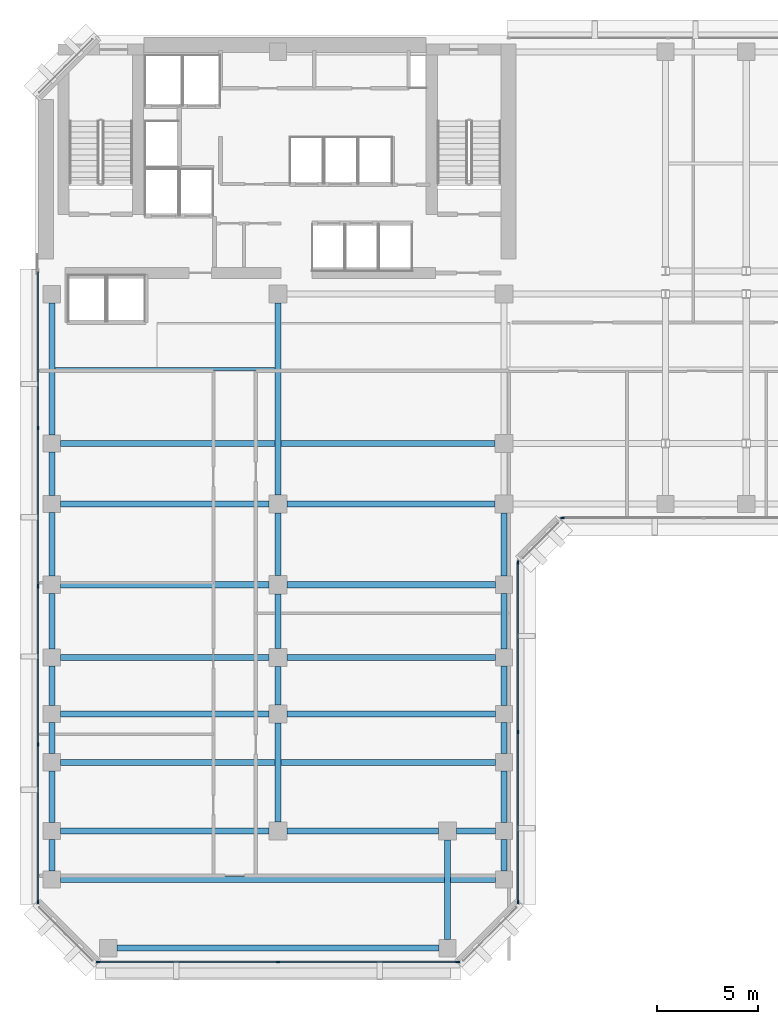
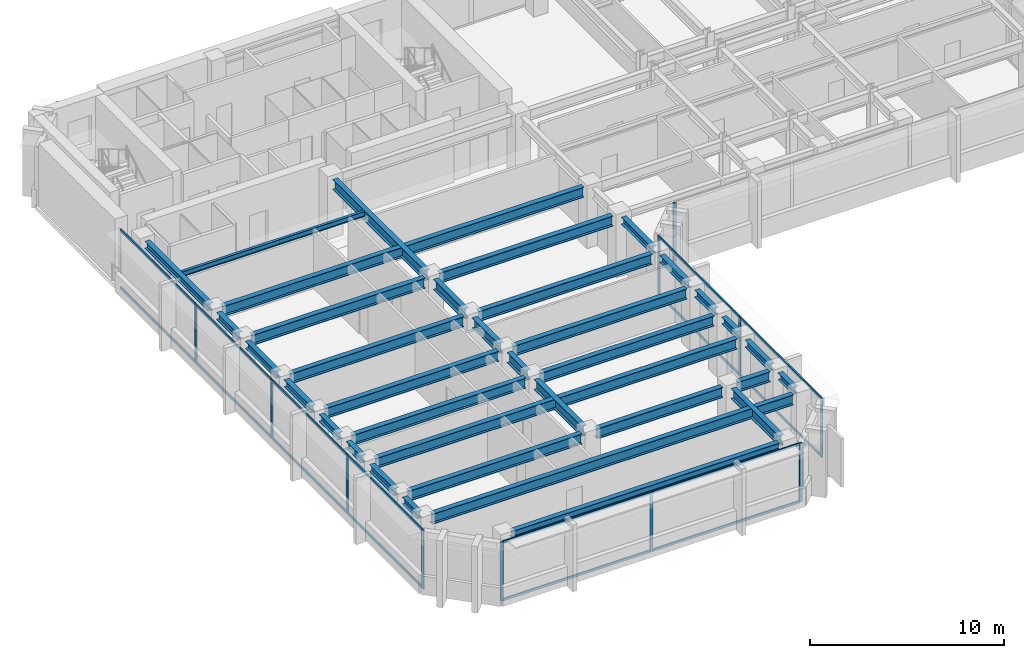
# One storey, part 2 of 11: 36 beams, 27 members, 4 elements without a shape of their own.
"""IFC4 building model written with IfcOpenShell, lengths in metres."""

from ifc_helpers import new_model, si_unit, direction, frame, origin, origin_2d, place, context, subcontext, project, spatial, rectangle, i_section, extrude, material, layer, layer_set, material_profile, profile_set, type_object, element, aggregate, save


model = new_model("IFC4")

# Units and contexts
model_context = context("Model", 3, precision=1e-05, world=origin(), true_north=direction((0.0, 1.0)))
body_context = subcontext(model_context, "Body", "Model", "MODEL_VIEW")
ifc_project = project(units=[si_unit("LENGTHUNIT", "METRE"), si_unit("AREAUNIT", "SQUARE_METRE"), si_unit("VOLUMEUNIT", "CUBIC_METRE"), si_unit("PLANEANGLEUNIT", "RADIAN"), si_unit("MASSUNIT", "GRAM", prefix="KILO")], contexts=[model_context])

# Site, building, storey
site_placement = place(None, origin())
site = spatial("IfcSite", under=ifc_project, at=site_placement, CompositionType="ELEMENT")
building_placement = place(site_placement, origin())
building = spatial("IfcBuilding", under=site, at=building_placement, Name="Kefirva Bronze Tower", CompositionType="ELEMENT")
storey_placement = place(building_placement, frame((0.0, 0.0, 154.77001953125)))
storey = spatial("IfcBuildingStorey", under=building, at=storey_placement, Name="L37", CompositionType="ELEMENT", Elevation=154.77001953125)

# Curtain wall, members
ifc_material_1 = material(Name="Bronze anodised aluminium", Category="aluminium")
ifc_layer = layer(ifc_material_1, 0.199951171875, Name="Bronze anodised aluminium")
ifc_layer_set = layer_set([ifc_layer], Name="Bronze anodised aluminium")
curtain_wall_type = type_object("IfcCurtainWallType", Name="Unitised Bronze Ribbon Curtain Wall Zone 2", PredefinedType="USERDEFINED", material=ifc_layer_set)
curtain_wall_1_placement = place(storey_placement, origin())
curtain_wall_1 = element("IfcCurtainWall", 1, at=curtain_wall_1_placement, inside=storey, type_object=curtain_wall_type, Name="L37 Curtain Wall 1", ObjectType="UNITISED CURTAIN WALL", PredefinedType="USERDEFINED")
ifc_material_profile_1 = material_profile(ifc_material_1, rectangle(XDim=0.074951171875, YDim=0.179931640625, at=origin_2d()), Name="ALU 75x180")
ifc_profile_set_1 = profile_set([ifc_material_profile_1], Name="Bronze anodised aluminium")
member_type_1 = type_object("IfcMemberType", Name="Bronze Mullion 75x180", PredefinedType="MULLION", material=ifc_profile_set_1)
member_1_placement = place(storey_placement, frame((3.092529296875, 0.1201171875, 0.0), z_axis=(0.0, 0.0, 1.0), x_axis=(0.0, 1.0, 0.0)))
member_1 = element("IfcMember", 2, at=member_1_placement, type_object=member_type_1, Name="CW-02 mullion 1", PredefinedType="MULLION", context=body_context, shape_type="SweptSolid", body=[
    extrude(rectangle(XDim=0.074951171875, YDim=0.179931640625, at=origin_2d()), origin(), (0.0, 0.0, 1.0), 3.7099609375),
])
member_2_placement = place(storey_placement, frame((12.0, 0.1201171875, 0.0), z_axis=(0.0, 0.0, 1.0), x_axis=(0.0, 1.0, 0.0)))
member_2 = element("IfcMember", 3, at=member_2_placement, type_object=member_type_1, Name="CW-02 mullion 2", PredefinedType="MULLION", context=body_context, shape_type="SweptSolid", body=[
    extrude(rectangle(XDim=0.074951171875, YDim=0.179931640625, at=origin_2d()), origin(), (0.0, 0.0, 1.0), 3.7099609375),
])
member_3_placement = place(storey_placement, frame((20.907470703125, 0.1201171875, 0.0), z_axis=(0.0, 0.0, 1.0), x_axis=(0.0, 1.0, 0.0)))
member_3 = element("IfcMember", 4, at=member_3_placement, type_object=member_type_1, Name="CW-02 mullion 3", PredefinedType="MULLION", context=body_context, shape_type="SweptSolid", body=[
    extrude(rectangle(XDim=0.074951171875, YDim=0.179931640625, at=origin_2d()), origin(), (0.0, 0.0, 1.0), 3.7099609375),
])

curtain_wall_2_placement = place(storey_placement, origin())
curtain_wall_2 = element("IfcCurtainWall", 5, at=curtain_wall_2_placement, inside=storey, type_object=curtain_wall_type, Name="L37 Curtain Wall 2", ObjectType="UNITISED CURTAIN WALL", PredefinedType="USERDEFINED")
member_4_placement = place(storey_placement, frame((23.8798828125, 3.092529296875, 0.0), z_axis=(0.0, 0.0, 1.0), x_axis=(-1.0, 0.0, 0.0)))
member_4 = element("IfcMember", 6, at=member_4_placement, type_object=member_type_1, Name="CW-02 mullion 1", PredefinedType="MULLION", context=body_context, shape_type="SweptSolid", body=[
    extrude(rectangle(XDim=0.074951171875, YDim=0.179931640625, at=origin_2d()), origin(), (0.0, 0.0, 1.0), 3.7099609375),
])
member_5_placement = place(storey_placement, frame((23.8798828125, 11.5, 0.0), z_axis=(0.0, 0.0, 1.0), x_axis=(-1.0, 0.0, 0.0)))
member_5 = element("IfcMember", 7, at=member_5_placement, type_object=member_type_1, Name="CW-02 mullion 2", PredefinedType="MULLION", context=body_context, shape_type="SweptSolid", body=[
    extrude(rectangle(XDim=0.074951171875, YDim=0.179931640625, at=origin_2d()), origin(), (0.0, 0.0, 1.0), 3.7099609375),
])
member_6_placement = place(storey_placement, frame((23.8798828125, 19.907470703125, 0.0), z_axis=(0.0, 0.0, 1.0), x_axis=(-1.0, 0.0, 0.0)))
member_6 = element("IfcMember", 8, at=member_6_placement, type_object=member_type_1, Name="CW-02 mullion 3", PredefinedType="MULLION", context=body_context, shape_type="SweptSolid", body=[
    extrude(rectangle(XDim=0.074951171875, YDim=0.179931640625, at=origin_2d()), origin(), (0.0, 0.0, 1.0), 3.7099609375),
])

# Curtain wall, member
curtain_wall_3_placement = place(storey_placement, origin())
curtain_wall_3 = element("IfcCurtainWall", 9, at=curtain_wall_3_placement, inside=storey, type_object=curtain_wall_type, Name="L37 Curtain Wall 3", ObjectType="UNITISED CURTAIN WALL", PredefinedType="USERDEFINED")
member_7_placement = place(storey_placement, frame((26.092529296875, 22.1201171875, 0.0), z_axis=(0.0, 0.0, 1.0), x_axis=(0.0, 1.0, 0.0)))
member_7 = element("IfcMember", 10, at=member_7_placement, type_object=member_type_1, Name="CW-02 mullion 1", PredefinedType="MULLION", context=body_context, shape_type="SweptSolid", body=[
    extrude(rectangle(XDim=0.074951171875, YDim=0.179931640625, at=origin_2d()), origin(), (0.0, 0.0, 1.0), 3.7099609375),
])
aggregate(curtain_wall_3, [member_7])

# Curtain wall, members
curtain_wall_4_placement = place(storey_placement, origin())
curtain_wall_4 = element("IfcCurtainWall", 11, at=curtain_wall_4_placement, inside=storey, type_object=curtain_wall_type, Name="L37 Curtain Wall 6", ObjectType="UNITISED CURTAIN WALL", PredefinedType="USERDEFINED")
member_8_placement = place(storey_placement, frame((0.1201171875, 26.56005859375, 0.0), z_axis=(0.0, 0.0, 1.0), x_axis=(1.0, 0.0, 0.0)))
member_8 = element("IfcMember", 12, at=member_8_placement, type_object=member_type_1, Name="CW-02 mullion 2", PredefinedType="MULLION", context=body_context, shape_type="SweptSolid", body=[
    extrude(rectangle(XDim=0.074951171875, YDim=0.179931640625, at=origin_2d()), origin(), (0.0, 0.0, 1.0), 3.7099609375),
])
member_9_placement = place(storey_placement, frame((0.1201171875, 18.72509765625, 0.0), z_axis=(0.0, 0.0, 1.0), x_axis=(1.0, 0.0, 0.0)))
member_9 = element("IfcMember", 13, at=member_9_placement, type_object=member_type_1, Name="CW-02 mullion 3", PredefinedType="MULLION", context=body_context, shape_type="SweptSolid", body=[
    extrude(rectangle(XDim=0.074951171875, YDim=0.179931640625, at=origin_2d()), origin(), (0.0, 0.0, 1.0), 3.7099609375),
])
member_10_placement = place(storey_placement, frame((0.1201171875, 10.889892578125, 0.0), z_axis=(0.0, 0.0, 1.0), x_axis=(1.0, 0.0, 0.0)))
member_10 = element("IfcMember", 14, at=member_10_placement, type_object=member_type_1, Name="CW-02 mullion 4", PredefinedType="MULLION", context=body_context, shape_type="SweptSolid", body=[
    extrude(rectangle(XDim=0.074951171875, YDim=0.179931640625, at=origin_2d()), origin(), (0.0, 0.0, 1.0), 3.7099609375),
])
member_11_placement = place(storey_placement, frame((0.1201171875, 3.092529296875, 0.0), z_axis=(0.0, 0.0, 1.0), x_axis=(1.0, 0.0, 0.0)))
member_11 = element("IfcMember", 15, at=member_11_placement, type_object=member_type_1, Name="CW-02 mullion 5", PredefinedType="MULLION", context=body_context, shape_type="SweptSolid", body=[
    extrude(rectangle(XDim=0.074951171875, YDim=0.179931640625, at=origin_2d()), origin(), (0.0, 0.0, 1.0), 3.7099609375),
])

# Member
ifc_material_profile_2 = material_profile(ifc_material_1, rectangle(XDim=0.074951171875, YDim=0.14990234375, at=origin_2d()), Name="ALU 75x150")
ifc_profile_set_2 = profile_set([ifc_material_profile_2], Name="Bronze anodised aluminium")
member_type_2 = type_object("IfcMemberType", Name="Bronze Transom 75x150", PredefinedType="USERDEFINED", material=ifc_profile_set_2)
member_12_placement = place(storey_placement, frame((3.1298828125, 0.1201171875, 0.03759765625), z_axis=(1.0, 0.0, 0.0), x_axis=(0.0, 1.0, 0.0)))
member_12 = element("IfcMember", 16, at=member_12_placement, type_object=member_type_2, Name="CW-02 transom 1.1", ObjectType="TRANSOM", PredefinedType="USERDEFINED", context=body_context, shape_type="SweptSolid", body=[
    extrude(rectangle(XDim=0.074951171875, YDim=0.14990234375, at=origin_2d()), origin(), (0.0, 0.0, 1.0), 8.83251953125),
])

member_13_placement = place(storey_placement, frame((3.1298828125, 0.1201171875, 3.67236328125), z_axis=(1.0, 0.0, 0.0), x_axis=(0.0, 1.0, 0.0)))
member_13 = element("IfcMember", 17, at=member_13_placement, type_object=member_type_2, Name="CW-02 transom 1.2", ObjectType="TRANSOM", PredefinedType="USERDEFINED", context=body_context, shape_type="SweptSolid", body=[
    extrude(rectangle(XDim=0.074951171875, YDim=0.14990234375, at=origin_2d()), origin(), (0.0, 0.0, 1.0), 8.83251953125),
])

member_14_placement = place(storey_placement, frame((12.03759765625, 0.1201171875, 0.03759765625), z_axis=(1.0, 0.0, 0.0), x_axis=(0.0, 1.0, 0.0)))
member_14 = element("IfcMember", 18, at=member_14_placement, type_object=member_type_2, Name="CW-02 transom 2.1", ObjectType="TRANSOM", PredefinedType="USERDEFINED", context=body_context, shape_type="SweptSolid", body=[
    extrude(rectangle(XDim=0.074951171875, YDim=0.14990234375, at=origin_2d()), origin(), (0.0, 0.0, 1.0), 8.83251953125),
])

member_15_placement = place(storey_placement, frame((12.03759765625, 0.1201171875, 3.67236328125), z_axis=(1.0, 0.0, 0.0), x_axis=(0.0, 1.0, 0.0)))
member_15 = element("IfcMember", 19, at=member_15_placement, type_object=member_type_2, Name="CW-02 transom 2.2", ObjectType="TRANSOM", PredefinedType="USERDEFINED", context=body_context, shape_type="SweptSolid", body=[
    extrude(rectangle(XDim=0.074951171875, YDim=0.14990234375, at=origin_2d()), origin(), (0.0, 0.0, 1.0), 8.83251953125),
])

aggregate(curtain_wall_1, [member_1, member_2, member_3, member_12, member_13, member_14, member_15])

member_16_placement = place(storey_placement, frame((23.8798828125, 3.1298828125, 0.03759765625), z_axis=(0.0, 1.0, 0.0), x_axis=(-1.0, 0.0, 0.0)))
member_16 = element("IfcMember", 20, at=member_16_placement, type_object=member_type_2, Name="CW-02 transom 1.1", ObjectType="TRANSOM", PredefinedType="USERDEFINED", context=body_context, shape_type="SweptSolid", body=[
    extrude(rectangle(XDim=0.074951171875, YDim=0.14990234375, at=origin_2d()), origin(), (0.0, 0.0, 1.0), 8.33251953125),
])

member_17_placement = place(storey_placement, frame((23.8798828125, 3.1298828125, 3.67236328125), z_axis=(0.0, 1.0, 0.0), x_axis=(-1.0, 0.0, 0.0)))
member_17 = element("IfcMember", 21, at=member_17_placement, type_object=member_type_2, Name="CW-02 transom 1.2", ObjectType="TRANSOM", PredefinedType="USERDEFINED", context=body_context, shape_type="SweptSolid", body=[
    extrude(rectangle(XDim=0.074951171875, YDim=0.14990234375, at=origin_2d()), origin(), (0.0, 0.0, 1.0), 8.33251953125),
])

member_18_placement = place(storey_placement, frame((23.8798828125, 11.53759765625, 0.03759765625), z_axis=(0.0, 1.0, 0.0), x_axis=(-1.0, 0.0, 0.0)))
member_18 = element("IfcMember", 22, at=member_18_placement, type_object=member_type_2, Name="CW-02 transom 2.1", ObjectType="TRANSOM", PredefinedType="USERDEFINED", context=body_context, shape_type="SweptSolid", body=[
    extrude(rectangle(XDim=0.074951171875, YDim=0.14990234375, at=origin_2d()), origin(), (0.0, 0.0, 1.0), 8.33251953125),
])

member_19_placement = place(storey_placement, frame((23.8798828125, 11.53759765625, 3.67236328125), z_axis=(0.0, 1.0, 0.0), x_axis=(-1.0, 0.0, 0.0)))
member_19 = element("IfcMember", 23, at=member_19_placement, type_object=member_type_2, Name="CW-02 transom 2.2", ObjectType="TRANSOM", PredefinedType="USERDEFINED", context=body_context, shape_type="SweptSolid", body=[
    extrude(rectangle(XDim=0.074951171875, YDim=0.14990234375, at=origin_2d()), origin(), (0.0, 0.0, 1.0), 8.33251953125),
])

aggregate(curtain_wall_2, [member_4, member_5, member_6, member_16, member_17, member_18, member_19])

member_20_placement = place(storey_placement, frame((0.1201171875, 34.320068359375, 0.03759765625), z_axis=(0.0, -1.0, 0.0), x_axis=(1.0, 0.0, 0.0)))
member_20 = element("IfcMember", 24, at=member_20_placement, type_object=member_type_2, Name="CW-02 transom 1.1", ObjectType="TRANSOM", PredefinedType="USERDEFINED", context=body_context, shape_type="SweptSolid", body=[
    extrude(rectangle(XDim=0.074951171875, YDim=0.14990234375, at=origin_2d()), origin(), (0.0, 0.0, 1.0), 7.72265625),
])

member_21_placement = place(storey_placement, frame((0.1201171875, 34.320068359375, 3.67236328125), z_axis=(0.0, -1.0, 0.0), x_axis=(1.0, 0.0, 0.0)))
member_21 = element("IfcMember", 25, at=member_21_placement, type_object=member_type_2, Name="CW-02 transom 1.2", ObjectType="TRANSOM", PredefinedType="USERDEFINED", context=body_context, shape_type="SweptSolid", body=[
    extrude(rectangle(XDim=0.074951171875, YDim=0.14990234375, at=origin_2d()), origin(), (0.0, 0.0, 1.0), 7.72265625),
])

member_22_placement = place(storey_placement, frame((0.1201171875, 26.5224609375, 0.03759765625), z_axis=(0.0, -1.0, 0.0), x_axis=(1.0, 0.0, 0.0)))
member_22 = element("IfcMember", 26, at=member_22_placement, type_object=member_type_2, Name="CW-02 transom 2.1", ObjectType="TRANSOM", PredefinedType="USERDEFINED", context=body_context, shape_type="SweptSolid", body=[
    extrude(rectangle(XDim=0.074951171875, YDim=0.14990234375, at=origin_2d()), origin(), (0.0, 0.0, 1.0), 7.760009765625),
])

member_23_placement = place(storey_placement, frame((0.1201171875, 26.5224609375, 3.67236328125), z_axis=(0.0, -1.0, 0.0), x_axis=(1.0, 0.0, 0.0)))
member_23 = element("IfcMember", 27, at=member_23_placement, type_object=member_type_2, Name="CW-02 transom 2.2", ObjectType="TRANSOM", PredefinedType="USERDEFINED", context=body_context, shape_type="SweptSolid", body=[
    extrude(rectangle(XDim=0.074951171875, YDim=0.14990234375, at=origin_2d()), origin(), (0.0, 0.0, 1.0), 7.760009765625),
])

member_24_placement = place(storey_placement, frame((0.1201171875, 18.6875, 0.03759765625), z_axis=(0.0, -1.0, 0.0), x_axis=(1.0, 0.0, 0.0)))
member_24 = element("IfcMember", 28, at=member_24_placement, type_object=member_type_2, Name="CW-02 transom 3.1", ObjectType="TRANSOM", PredefinedType="USERDEFINED", context=body_context, shape_type="SweptSolid", body=[
    extrude(rectangle(XDim=0.074951171875, YDim=0.14990234375, at=origin_2d()), origin(), (0.0, 0.0, 1.0), 7.760009765625),
])

member_25_placement = place(storey_placement, frame((0.1201171875, 18.6875, 3.67236328125), z_axis=(0.0, -1.0, 0.0), x_axis=(1.0, 0.0, 0.0)))
member_25 = element("IfcMember", 29, at=member_25_placement, type_object=member_type_2, Name="CW-02 transom 3.2", ObjectType="TRANSOM", PredefinedType="USERDEFINED", context=body_context, shape_type="SweptSolid", body=[
    extrude(rectangle(XDim=0.074951171875, YDim=0.14990234375, at=origin_2d()), origin(), (0.0, 0.0, 1.0), 7.760009765625),
])

member_26_placement = place(storey_placement, frame((0.1201171875, 10.8525390625, 0.03759765625), z_axis=(0.0, -1.0, 0.0), x_axis=(1.0, 0.0, 0.0)))
member_26 = element("IfcMember", 30, at=member_26_placement, type_object=member_type_2, Name="CW-02 transom 4.1", ObjectType="TRANSOM", PredefinedType="USERDEFINED", context=body_context, shape_type="SweptSolid", body=[
    extrude(rectangle(XDim=0.074951171875, YDim=0.14990234375, at=origin_2d()), origin(), (0.0, 0.0, 1.0), 7.72265625),
])

member_27_placement = place(storey_placement, frame((0.1201171875, 10.8525390625, 3.67236328125), z_axis=(0.0, -1.0, 0.0), x_axis=(1.0, 0.0, 0.0)))
member_27 = element("IfcMember", 31, at=member_27_placement, type_object=member_type_2, Name="CW-02 transom 4.2", ObjectType="TRANSOM", PredefinedType="USERDEFINED", context=body_context, shape_type="SweptSolid", body=[
    extrude(rectangle(XDim=0.074951171875, YDim=0.14990234375, at=origin_2d()), origin(), (0.0, 0.0, 1.0), 7.72265625),
])

aggregate(curtain_wall_4, [member_8, member_9, member_10, member_11, member_20, member_21, member_22, member_23, member_24, member_25, member_26, member_27])

# Beams
ifc_material_2 = material(Name="Steel S355", Category="steel")
ifc_material_profile_3 = material_profile(ifc_material_2, i_section(OverallWidth=0.159912109375, OverallDepth=0.330078125, WebThickness=0.007568359375, FlangeThickness=0.011474609375, at=origin_2d()), Name="IPE 330")
ifc_profile_set_3 = profile_set([ifc_material_profile_3], Name="Steel S355")
beam_type_1 = type_object("IfcBeamType", Name="Steel Floor Joist IPE 330", PredefinedType="JOIST", material=ifc_profile_set_3)
beam_1_placement = place(storey_placement, frame((0.949951171875, 29.489990234375, 3.544921875), z_axis=(1.0, 0.0, 0.0), x_axis=(0.0, 1.0, 0.0)))
element("IfcBeam", 32, at=beam_1_placement, inside=storey, type_object=beam_type_1, Name="L37 JST-L37-0-294", PredefinedType="JOIST", context=body_context, shape_type="SweptSolid", body=[
    extrude(i_section(OverallWidth=0.159912109375, OverallDepth=0.330078125, WebThickness=0.007568359375, FlangeThickness=0.011474609375, at=origin_2d()), origin(), (0.0, 0.0, 1.0), 10.900146484375),
])
ifc_material_profile_4 = material_profile(ifc_material_2, i_section(OverallWidth=0.300048828125, OverallDepth=0.64990234375, WebThickness=0.01611328125, FlangeThickness=0.031005859375, at=origin_2d()), Name="HEB 650")
ifc_profile_set_4 = profile_set([ifc_material_profile_4], Name="Steel S355")
beam_type_2 = type_object("IfcBeamType", Name="Steel Girder HEB 650", PredefinedType="USERDEFINED", material=ifc_profile_set_4)
beam_2_placement = place(storey_placement, frame((1.22998046875, 4.199951171875, 3.385009765625), z_axis=(1.0, 0.0, 0.0), x_axis=(0.0, 1.0, 0.0)))
element("IfcBeam", 33, at=beam_2_placement, inside=storey, type_object=beam_type_2, Name="L37 BM-L37-EW-0-42", ObjectType="GIRDER", PredefinedType="USERDEFINED", context=body_context, shape_type="SweptSolid", body=[
    extrude(i_section(OverallWidth=0.300048828125, OverallDepth=0.64990234375, WebThickness=0.01611328125, FlangeThickness=0.031005859375, at=origin_2d()), origin(), (0.0, 0.0, 1.0), 21.5400390625),
])
beam_3_placement = place(storey_placement, frame((1.22998046875, 6.60009765625, 3.385009765625), z_axis=(1.0, 0.0, 0.0), x_axis=(0.0, 1.0, 0.0)))
element("IfcBeam", 34, at=beam_3_placement, inside=storey, type_object=beam_type_2, Name="L37 BM-L37-EW-0-66", ObjectType="GIRDER", PredefinedType="USERDEFINED", context=body_context, shape_type="SweptSolid", body=[
    extrude(i_section(OverallWidth=0.300048828125, OverallDepth=0.64990234375, WebThickness=0.01611328125, FlangeThickness=0.031005859375, at=origin_2d()), origin(), (0.0, 0.0, 1.0), 10.320068359375),
])
beam_4_placement = place(storey_placement, frame((12.449951171875, 6.60009765625, 3.385009765625), z_axis=(1.0, 0.0, 0.0), x_axis=(0.0, 1.0, 0.0)))
element("IfcBeam", 35, at=beam_4_placement, inside=storey, type_object=beam_type_2, Name="L37 BM-L37-EW-12-66", ObjectType="GIRDER", PredefinedType="USERDEFINED", context=body_context, shape_type="SweptSolid", body=[
    extrude(i_section(OverallWidth=0.300048828125, OverallDepth=0.64990234375, WebThickness=0.01611328125, FlangeThickness=0.031005859375, at=origin_2d()), origin(), (0.0, 0.0, 1.0), 7.5),
])
beam_5_placement = place(storey_placement, frame((20.85009765625, 6.60009765625, 3.385009765625), z_axis=(1.0, 0.0, 0.0), x_axis=(0.0, 1.0, 0.0)))
element("IfcBeam", 36, at=beam_5_placement, inside=storey, type_object=beam_type_2, Name="L37 BM-L37-EW-20-66", ObjectType="GIRDER", PredefinedType="USERDEFINED", context=body_context, shape_type="SweptSolid", body=[
    extrude(i_section(OverallWidth=0.300048828125, OverallDepth=0.64990234375, WebThickness=0.01611328125, FlangeThickness=0.031005859375, at=origin_2d()), origin(), (0.0, 0.0, 1.0), 1.919921875),
])
beam_6_placement = place(storey_placement, frame((1.22998046875, 10.0, 3.385009765625), z_axis=(1.0, 0.0, 0.0), x_axis=(0.0, 1.0, 0.0)))
element("IfcBeam", 37, at=beam_6_placement, inside=storey, type_object=beam_type_2, Name="L37 BM-L37-EW-0-100", ObjectType="GIRDER", PredefinedType="USERDEFINED", context=body_context, shape_type="SweptSolid", body=[
    extrude(i_section(OverallWidth=0.300048828125, OverallDepth=0.64990234375, WebThickness=0.01611328125, FlangeThickness=0.031005859375, at=origin_2d()), origin(), (0.0, 0.0, 1.0), 21.5400390625),
])
for number, where, z_axis, x_axis, name in (
    (38, (1.22998046875, 12.39990234375, 3.385009765625), (1.0, 0.0, 0.0), (0.0, 1.0, 0.0), "L37 BM-L37-EW-0-124"),
    (39, (12.449951171875, 12.39990234375, 3.385009765625), (1.0, 0.0, 0.0), (0.0, 1.0, 0.0), "L37 BM-L37-EW-12-124"),
    (40, (1.22998046875, 15.199951171875, 3.385009765625), (1.0, 0.0, 0.0), (0.0, 1.0, 0.0), "L37 BM-L37-EW-0-152"),
    (41, (12.449951171875, 15.199951171875, 3.385009765625), (1.0, 0.0, 0.0), (0.0, 1.0, 0.0), "L37 BM-L37-EW-12-152"),
    (42, (1.22998046875, 18.800048828125, 3.385009765625), (1.0, 0.0, 0.0), (0.0, 1.0, 0.0), "L37 BM-L37-EW-0-188"),
    (43, (12.449951171875, 18.800048828125, 3.385009765625), (1.0, 0.0, 0.0), (0.0, 1.0, 0.0), "L37 BM-L37-EW-12-188"),
    (44, (1.22998046875, 22.800048828125, 3.385009765625), (1.0, 0.0, 0.0), (0.0, 1.0, 0.0), "L37 BM-L37-EW-0-228"),
):
    element("IfcBeam", number, at=place(storey_placement, frame(where, z_axis=z_axis, x_axis=x_axis)), inside=storey, type_object=beam_type_2, Name=name, ObjectType="GIRDER", PredefinedType="USERDEFINED", context=body_context, shape_type="SweptSolid", body=[
        extrude(i_section(OverallWidth=0.300048828125, OverallDepth=0.64990234375, WebThickness=0.01611328125, FlangeThickness=0.031005859375, at=origin_2d()), origin(), (0.0, 0.0, 1.0), 10.320068359375),
    ])
beam_7_placement = place(storey_placement, frame((12.449951171875, 22.800048828125, 3.385009765625), z_axis=(1.0, 0.0, 0.0), x_axis=(0.0, 1.0, 0.0)))
element("IfcBeam", 45, at=beam_7_placement, inside=storey, type_object=beam_type_2, Name="L37 BM-L37-EW-12-228", ObjectType="GIRDER", PredefinedType="USERDEFINED", context=body_context, shape_type="SweptSolid", body=[
    extrude(i_section(OverallWidth=0.300048828125, OverallDepth=0.64990234375, WebThickness=0.01611328125, FlangeThickness=0.031005859375, at=origin_2d()), origin(), (0.0, 0.0, 1.0), 10.300048828125),
])
beam_8_placement = place(storey_placement, frame((1.22998046875, 25.800048828125, 3.385009765625), z_axis=(1.0, 0.0, 0.0), x_axis=(0.0, 1.0, 0.0)))
element("IfcBeam", 46, at=beam_8_placement, inside=storey, type_object=beam_type_2, Name="L37 BM-L37-EW-0-258", ObjectType="GIRDER", PredefinedType="USERDEFINED", context=body_context, shape_type="SweptSolid", body=[
    extrude(i_section(OverallWidth=0.300048828125, OverallDepth=0.64990234375, WebThickness=0.01611328125, FlangeThickness=0.031005859375, at=origin_2d()), origin(), (0.0, 0.0, 1.0), 21.52001953125),
])
beam_9_placement = place(storey_placement, frame((12.0, 7.050048828125, 3.385009765625), z_axis=(0.0, 1.0, 0.0), x_axis=(-1.0, 0.0, 0.0)))
element("IfcBeam", 47, at=beam_9_placement, inside=storey, type_object=beam_type_2, Name="L37 BM-L37-NS-120-6", ObjectType="GIRDER", PredefinedType="USERDEFINED", context=body_context, shape_type="SweptSolid", body=[
    extrude(i_section(OverallWidth=0.300048828125, OverallDepth=0.64990234375, WebThickness=0.01611328125, FlangeThickness=0.031005859375, at=origin_2d()), origin(), (0.0, 0.0, 1.0), 4.89990234375),
])
beam_10_placement = place(storey_placement, frame((12.0, 12.85009765625, 3.385009765625), z_axis=(0.0, 1.0, 0.0), x_axis=(-1.0, 0.0, 0.0)))
element("IfcBeam", 48, at=beam_10_placement, inside=storey, type_object=beam_type_2, Name="L37 BM-L37-NS-120-12", ObjectType="GIRDER", PredefinedType="USERDEFINED", context=body_context, shape_type="SweptSolid", body=[
    extrude(i_section(OverallWidth=0.300048828125, OverallDepth=0.64990234375, WebThickness=0.01611328125, FlangeThickness=0.031005859375, at=origin_2d()), origin(), (0.0, 0.0, 1.0), 1.89990234375),
])
beam_11_placement = place(storey_placement, frame((12.0, 15.64990234375, 3.385009765625), z_axis=(0.0, 1.0, 0.0), x_axis=(-1.0, 0.0, 0.0)))
element("IfcBeam", 49, at=beam_11_placement, inside=storey, type_object=beam_type_2, Name="L37 BM-L37-NS-120-15", ObjectType="GIRDER", PredefinedType="USERDEFINED", context=body_context, shape_type="SweptSolid", body=[
    extrude(i_section(OverallWidth=0.300048828125, OverallDepth=0.64990234375, WebThickness=0.01611328125, FlangeThickness=0.031005859375, at=origin_2d()), origin(), (0.0, 0.0, 1.0), 2.7001953125),
])
beam_12_placement = place(storey_placement, frame((12.0, 19.25, 3.385009765625), z_axis=(0.0, 1.0, 0.0), x_axis=(-1.0, 0.0, 0.0)))
element("IfcBeam", 50, at=beam_12_placement, inside=storey, type_object=beam_type_2, Name="L37 BM-L37-NS-120-18", ObjectType="GIRDER", PredefinedType="USERDEFINED", context=body_context, shape_type="SweptSolid", body=[
    extrude(i_section(OverallWidth=0.300048828125, OverallDepth=0.64990234375, WebThickness=0.01611328125, FlangeThickness=0.031005859375, at=origin_2d()), origin(), (0.0, 0.0, 1.0), 3.10009765625),
])
beam_13_placement = place(storey_placement, frame((12.0, 23.25, 3.385009765625), z_axis=(0.0, 1.0, 0.0), x_axis=(-1.0, 0.0, 0.0)))
element("IfcBeam", 51, at=beam_13_placement, inside=storey, type_object=beam_type_2, Name="L37 BM-L37-NS-120-22", ObjectType="GIRDER", PredefinedType="USERDEFINED", context=body_context, shape_type="SweptSolid", body=[
    extrude(i_section(OverallWidth=0.300048828125, OverallDepth=0.64990234375, WebThickness=0.01611328125, FlangeThickness=0.031005859375, at=origin_2d()), origin(), (0.0, 0.0, 1.0), 9.5),
])
beam_14_placement = place(storey_placement, frame((20.39990234375, 1.22998046875, 3.385009765625), z_axis=(0.0, 1.0, 0.0), x_axis=(-1.0, 0.0, 0.0)))
element("IfcBeam", 52, at=beam_14_placement, inside=storey, type_object=beam_type_2, Name="L37 BM-L37-NS-204-0", ObjectType="GIRDER", PredefinedType="USERDEFINED", context=body_context, shape_type="SweptSolid", body=[
    extrude(i_section(OverallWidth=0.300048828125, OverallDepth=0.64990234375, WebThickness=0.01611328125, FlangeThickness=0.031005859375, at=origin_2d()), origin(), (0.0, 0.0, 1.0), 4.919921875),
])
ifc_material_profile_5 = material_profile(ifc_material_2, i_section(OverallWidth=0.300048828125, OverallDepth=0.449951171875, WebThickness=0.013916015625, FlangeThickness=0.02587890625, at=origin_2d()), Name="HEB 450")
ifc_profile_set_5 = profile_set([ifc_material_profile_5], Name="Steel S355")
beam_type_3 = type_object("IfcBeamType", Name="Steel Spandrel HEB 450 Ext", PredefinedType="SPANDREL", material=ifc_profile_set_5)
beam_15_placement = place(storey_placement, frame((4.030029296875, 0.800048828125, 3.48486328125), z_axis=(1.0, 0.0, 0.0), x_axis=(0.0, 1.0, 0.0)))
element("IfcBeam", 53, at=beam_15_placement, inside=storey, type_object=beam_type_3, Name="L37 BM-L37-EW-3-8", PredefinedType="SPANDREL", context=body_context, shape_type="SweptSolid", body=[
    extrude(i_section(OverallWidth=0.300048828125, OverallDepth=0.449951171875, WebThickness=0.013916015625, FlangeThickness=0.02587890625, at=origin_2d()), origin(), (0.0, 0.0, 1.0), 15.93994140625),
])
beam_16_placement = place(storey_placement, frame((0.800048828125, 4.6298828125, 3.48486328125), z_axis=(0.0, 1.0, 0.0), x_axis=(-1.0, 0.0, 0.0)))
element("IfcBeam", 54, at=beam_16_placement, inside=storey, type_object=beam_type_3, Name="L37 BM-L37-NS-8-4", PredefinedType="SPANDREL", context=body_context, shape_type="SweptSolid", body=[
    extrude(i_section(OverallWidth=0.300048828125, OverallDepth=0.449951171875, WebThickness=0.013916015625, FlangeThickness=0.02587890625, at=origin_2d()), origin(), (0.0, 0.0, 1.0), 1.5400390625),
])
beam_17_placement = place(storey_placement, frame((0.800048828125, 7.030029296875, 3.48486328125), z_axis=(0.0, 1.0, 0.0), x_axis=(-1.0, 0.0, 0.0)))
element("IfcBeam", 55, at=beam_17_placement, inside=storey, type_object=beam_type_3, Name="L37 BM-L37-NS-8-6", PredefinedType="SPANDREL", context=body_context, shape_type="SweptSolid", body=[
    extrude(i_section(OverallWidth=0.300048828125, OverallDepth=0.449951171875, WebThickness=0.013916015625, FlangeThickness=0.02587890625, at=origin_2d()), origin(), (0.0, 0.0, 1.0), 2.5400390625),
])
beam_18_placement = place(storey_placement, frame((0.800048828125, 10.429931640625, 3.48486328125), z_axis=(0.0, 1.0, 0.0), x_axis=(-1.0, 0.0, 0.0)))
element("IfcBeam", 56, at=beam_18_placement, inside=storey, type_object=beam_type_3, Name="L37 BM-L37-NS-8-10", PredefinedType="SPANDREL", context=body_context, shape_type="SweptSolid", body=[
    extrude(i_section(OverallWidth=0.300048828125, OverallDepth=0.449951171875, WebThickness=0.013916015625, FlangeThickness=0.02587890625, at=origin_2d()), origin(), (0.0, 0.0, 1.0), 1.5400390625),
])
beam_19_placement = place(storey_placement, frame((0.800048828125, 12.830078125, 3.48486328125), z_axis=(0.0, 1.0, 0.0), x_axis=(-1.0, 0.0, 0.0)))
element("IfcBeam", 57, at=beam_19_placement, inside=storey, type_object=beam_type_3, Name="L37 BM-L37-NS-8-12", PredefinedType="SPANDREL", context=body_context, shape_type="SweptSolid", body=[
    extrude(i_section(OverallWidth=0.300048828125, OverallDepth=0.449951171875, WebThickness=0.013916015625, FlangeThickness=0.02587890625, at=origin_2d()), origin(), (0.0, 0.0, 1.0), 1.93994140625),
])
beam_20_placement = place(storey_placement, frame((0.800048828125, 15.6298828125, 3.48486328125), z_axis=(0.0, 1.0, 0.0), x_axis=(-1.0, 0.0, 0.0)))
element("IfcBeam", 58, at=beam_20_placement, inside=storey, type_object=beam_type_3, Name="L37 BM-L37-NS-8-15", PredefinedType="SPANDREL", context=body_context, shape_type="SweptSolid", body=[
    extrude(i_section(OverallWidth=0.300048828125, OverallDepth=0.449951171875, WebThickness=0.013916015625, FlangeThickness=0.02587890625, at=origin_2d()), origin(), (0.0, 0.0, 1.0), 2.740234375),
])
beam_21_placement = place(storey_placement, frame((0.800048828125, 19.22998046875, 3.48486328125), z_axis=(0.0, 1.0, 0.0), x_axis=(-1.0, 0.0, 0.0)))
element("IfcBeam", 59, at=beam_21_placement, inside=storey, type_object=beam_type_3, Name="L37 BM-L37-NS-8-18", PredefinedType="SPANDREL", context=body_context, shape_type="SweptSolid", body=[
    extrude(i_section(OverallWidth=0.300048828125, OverallDepth=0.449951171875, WebThickness=0.013916015625, FlangeThickness=0.02587890625, at=origin_2d()), origin(), (0.0, 0.0, 1.0), 3.14013671875),
])
beam_22_placement = place(storey_placement, frame((0.800048828125, 23.22998046875, 3.48486328125), z_axis=(0.0, 1.0, 0.0), x_axis=(-1.0, 0.0, 0.0)))
element("IfcBeam", 60, at=beam_22_placement, inside=storey, type_object=beam_type_3, Name="L37 BM-L37-NS-8-22", PredefinedType="SPANDREL", context=body_context, shape_type="SweptSolid", body=[
    extrude(i_section(OverallWidth=0.300048828125, OverallDepth=0.449951171875, WebThickness=0.013916015625, FlangeThickness=0.02587890625, at=origin_2d()), origin(), (0.0, 0.0, 1.0), 2.14013671875),
])
beam_23_placement = place(storey_placement, frame((0.800048828125, 26.22998046875, 3.48486328125), z_axis=(0.0, 1.0, 0.0), x_axis=(-1.0, 0.0, 0.0)))
element("IfcBeam", 61, at=beam_23_placement, inside=storey, type_object=beam_type_3, Name="L37 BM-L37-NS-8-25", PredefinedType="SPANDREL", context=body_context, shape_type="SweptSolid", body=[
    extrude(i_section(OverallWidth=0.300048828125, OverallDepth=0.449951171875, WebThickness=0.013916015625, FlangeThickness=0.02587890625, at=origin_2d()), origin(), (0.0, 0.0, 1.0), 6.5400390625),
])
beam_24_placement = place(storey_placement, frame((23.199951171875, 4.6298828125, 3.48486328125), z_axis=(0.0, 1.0, 0.0), x_axis=(-1.0, 0.0, 0.0)))
element("IfcBeam", 62, at=beam_24_placement, inside=storey, type_object=beam_type_3, Name="L37 BM-L37-NS-232-4", PredefinedType="SPANDREL", context=body_context, shape_type="SweptSolid", body=[
    extrude(i_section(OverallWidth=0.300048828125, OverallDepth=0.449951171875, WebThickness=0.013916015625, FlangeThickness=0.02587890625, at=origin_2d()), origin(), (0.0, 0.0, 1.0), 1.5400390625),
])
beam_25_placement = place(storey_placement, frame((23.199951171875, 7.030029296875, 3.48486328125), z_axis=(0.0, 1.0, 0.0), x_axis=(-1.0, 0.0, 0.0)))
element("IfcBeam", 63, at=beam_25_placement, inside=storey, type_object=beam_type_3, Name="L37 BM-L37-NS-232-6", PredefinedType="SPANDREL", context=body_context, shape_type="SweptSolid", body=[
    extrude(i_section(OverallWidth=0.300048828125, OverallDepth=0.449951171875, WebThickness=0.013916015625, FlangeThickness=0.02587890625, at=origin_2d()), origin(), (0.0, 0.0, 1.0), 2.5400390625),
])
beam_26_placement = place(storey_placement, frame((23.199951171875, 10.429931640625, 3.48486328125), z_axis=(0.0, 1.0, 0.0), x_axis=(-1.0, 0.0, 0.0)))
element("IfcBeam", 64, at=beam_26_placement, inside=storey, type_object=beam_type_3, Name="L37 BM-L37-NS-232-10", PredefinedType="SPANDREL", context=body_context, shape_type="SweptSolid", body=[
    extrude(i_section(OverallWidth=0.300048828125, OverallDepth=0.449951171875, WebThickness=0.013916015625, FlangeThickness=0.02587890625, at=origin_2d()), origin(), (0.0, 0.0, 1.0), 1.5400390625),
])
beam_27_placement = place(storey_placement, frame((23.199951171875, 12.830078125, 3.48486328125), z_axis=(0.0, 1.0, 0.0), x_axis=(-1.0, 0.0, 0.0)))
element("IfcBeam", 65, at=beam_27_placement, inside=storey, type_object=beam_type_3, Name="L37 BM-L37-NS-232-12", PredefinedType="SPANDREL", context=body_context, shape_type="SweptSolid", body=[
    extrude(i_section(OverallWidth=0.300048828125, OverallDepth=0.449951171875, WebThickness=0.013916015625, FlangeThickness=0.02587890625, at=origin_2d()), origin(), (0.0, 0.0, 1.0), 1.93994140625),
])
beam_28_placement = place(storey_placement, frame((23.199951171875, 15.6298828125, 3.48486328125), z_axis=(0.0, 1.0, 0.0), x_axis=(-1.0, 0.0, 0.0)))
element("IfcBeam", 66, at=beam_28_placement, inside=storey, type_object=beam_type_3, Name="L37 BM-L37-NS-232-15", PredefinedType="SPANDREL", context=body_context, shape_type="SweptSolid", body=[
    extrude(i_section(OverallWidth=0.300048828125, OverallDepth=0.449951171875, WebThickness=0.013916015625, FlangeThickness=0.02587890625, at=origin_2d()), origin(), (0.0, 0.0, 1.0), 2.740234375),
])
beam_29_placement = place(storey_placement, frame((23.199951171875, 19.22998046875, 3.48486328125), z_axis=(0.0, 1.0, 0.0), x_axis=(-1.0, 0.0, 0.0)))
element("IfcBeam", 67, at=beam_29_placement, inside=storey, type_object=beam_type_3, Name="L37 BM-L37-NS-232-18", PredefinedType="SPANDREL", context=body_context, shape_type="SweptSolid", body=[
    extrude(i_section(OverallWidth=0.300048828125, OverallDepth=0.449951171875, WebThickness=0.013916015625, FlangeThickness=0.02587890625, at=origin_2d()), origin(), (0.0, 0.0, 1.0), 3.1201171875),
])

save(model, "model.ifc")
